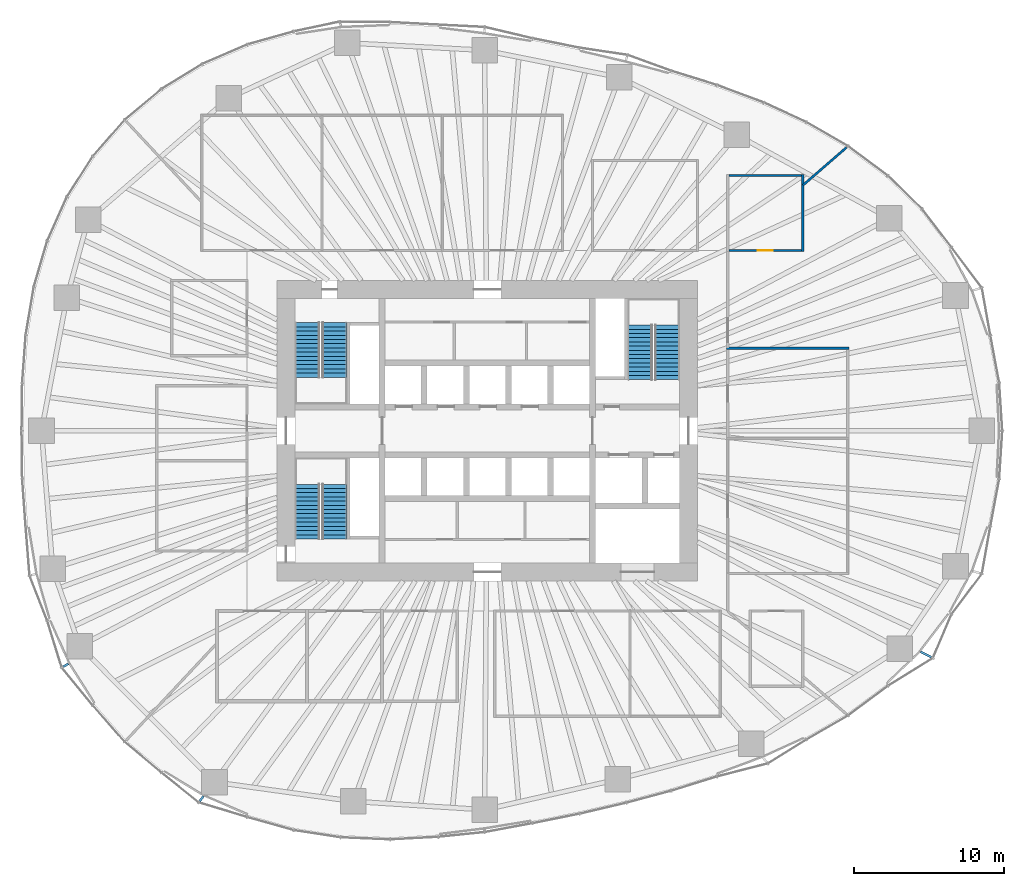
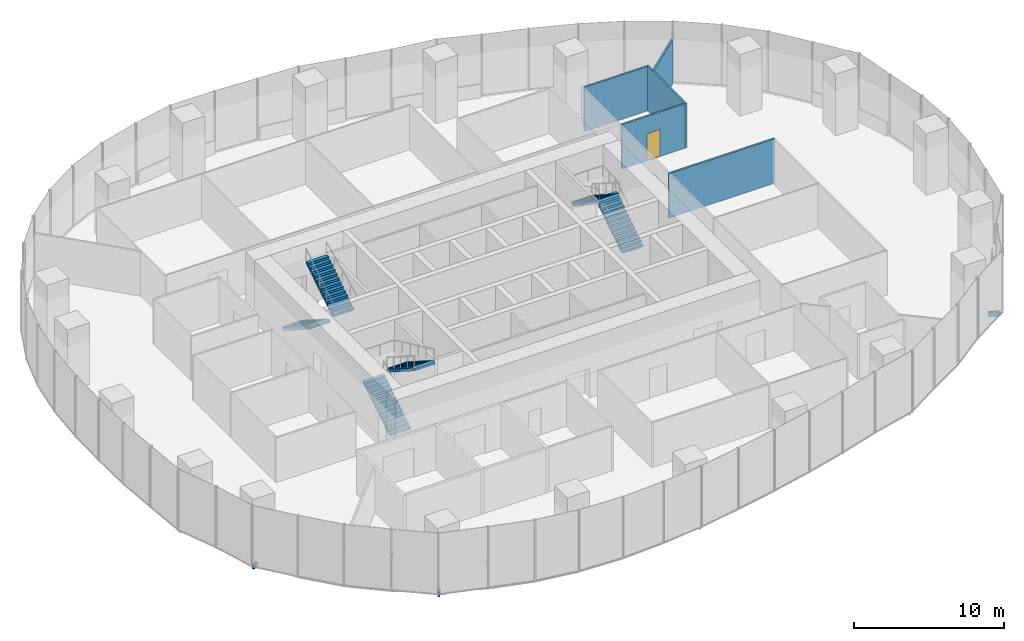
# One storey, part 12 of 20: 6 stair flights, 5 walls, 3 discrete accessories, 1 door, 1 opening, 3 elements without a shape of their own.
"""IFC4 building model written with IfcOpenShell, lengths in metres."""

from ifc_helpers import new_model, si_unit, direction, frame, frame_2d, origin, origin_2d, place, context, subcontext, project, spatial, polyline, rectangle, outline, extrude, material, layer, layer_set, type_object, element, fill, aggregate, save


model = new_model("IFC4")

# Units and contexts
model_context = context("Model", 3, precision=1e-05, world=origin(), true_north=direction((0.0, 1.0)))
body_context = subcontext(model_context, "Body", "Model", "MODEL_VIEW")
ifc_project = project(units=[si_unit("LENGTHUNIT", "METRE"), si_unit("AREAUNIT", "SQUARE_METRE"), si_unit("VOLUMEUNIT", "CUBIC_METRE"), si_unit("PLANEANGLEUNIT", "RADIAN"), si_unit("MASSUNIT", "GRAM", prefix="KILO")], contexts=[model_context])

# Site, building, storey
site_placement = place(None, origin())
site = spatial("IfcSite", under=ifc_project, at=site_placement, CompositionType="ELEMENT")
building_placement = place(site_placement, origin())
building = spatial("IfcBuilding", under=site, at=building_placement, Name="Ghaith Harvest Tower", CompositionType="ELEMENT")
storey_placement = place(building_placement, frame((0.0, 0.0, 60.0)))
storey = spatial("IfcBuildingStorey", under=building, at=storey_placement, Name="L12", CompositionType="ELEMENT", Elevation=60.0)

# Walls
ifc_material_1 = material(Name="Gypsum board on steel studs", Category="steel")
ifc_layer = layer(ifc_material_1, 0.14990234375)
ifc_layer_set = layer_set([ifc_layer], Name="PARTITION 150")
wall_type = type_object("IfcWallType", Name="PARTITION 150", PredefinedType="PARTITIONING", material=ifc_layer_set)
wall_1_placement = place(storey_placement, frame((15.925048828125, 5.5, 0.0), z_axis=(0.0, 0.0, 1.0), x_axis=(1.0, 0.0, 0.0)))
element("IfcWall", 1, at=wall_1_placement, inside=storey, type_object=wall_type, Name="Partition L12 row E3 cross wall 3", PredefinedType="PARTITIONING", context=body_context, shape_type="SweptSolid", body=[
    extrude(rectangle(XDim=8.14990234375, YDim=0.14990234375, at=frame_2d((4.074951171875, 0.0))), origin(), (0.0, 0.0, 1.0), 3.60009765625),
])
wall_2_placement = place(storey_placement, frame((21.0, 11.925048828125, 0.0), z_axis=(0.0, 0.0, 1.0), x_axis=(0.0, 1.0, 0.0)))
element("IfcWall", 2, at=wall_2_placement, inside=storey, type_object=wall_type, Name="Partition L12 row N7 cross wall 2", PredefinedType="PARTITIONING", context=body_context, shape_type="SweptSolid", body=[
    extrude(rectangle(XDim=5.14990234375, YDim=0.14990234375, at=frame_2d((2.574951171875, 0.0))), origin(), (0.0, 0.0, 1.0), 3.60009765625),
])

# Wall, opening, door
wall_3_placement = place(storey_placement, frame((16.074951171875, 12.0, 0.0), z_axis=(0.0, 0.0, 1.0), x_axis=(1.0, 0.0, 0.0)))
wall_3 = element("IfcWall", 3, at=wall_3_placement, inside=storey, type_object=wall_type, Name="Partition L12-14", PredefinedType="PARTITIONING", context=body_context, shape_type="SweptSolid", body=[
    extrude(rectangle(XDim=4.85009765625, YDim=0.14990234375, at=frame_2d((2.425048828125, 0.0))), origin(), (0.0, 0.0, 1.0), 3.60009765625),
])
opening_placement = place(wall_3_placement, frame((1.925048828125, 0.0, 0.0)))
opening = element("IfcOpeningElement", 4, at=opening_placement, cuts=wall_3, Name="Opening 12-036", PredefinedType="OPENING", context=body_context, shape_type="SweptSolid", body=[
    extrude(rectangle(XDim=1.0, YDim=2.199951171875, at=frame_2d((0.5, 1.10009765625))), frame((0.0, 0.0849609375, 0.0), z_axis=(0.0, -1.0, 0.0), x_axis=(1.0, 0.0, 0.0)), (0.0, 0.0, 1.0), 0.169921875),
])
ifc_material_2 = material(Name="Timber door", Category="wood")
door_type = type_object("IfcDoorType", Name="D1 SINGLE 1000x2200", OperationType="SINGLE_SWING_LEFT", PredefinedType="DOOR", material=ifc_material_2)
door_placement = place(opening_placement, origin())
door = element("IfcDoor", 5, at=door_placement, inside=storey, type_object=door_type, Name="Seed sowing room door", OperationType="SINGLE_SWING_LEFT", OverallHeight=2.199951171875, OverallWidth=1.0, PredefinedType="DOOR", context=body_context, shape_type="SweptSolid", body=[
    extrude(rectangle(XDim=1.0, YDim=2.199951171875, at=frame_2d((0.5, 1.10009765625))), frame((0.0, 0.02490234375, 0.0), z_axis=(0.0, -1.0, 0.0), x_axis=(1.0, 0.0, 0.0)), (0.0, 0.0, 1.0), 0.050048828125),
])
fill(opening, door)

# Walls
wall_4_placement = place(storey_placement, frame((16.074951171875, 17.0, 0.0), z_axis=(0.0, 0.0, 1.0), x_axis=(1.0, 0.0, 0.0)))
element("IfcWall", 6, at=wall_4_placement, inside=storey, type_object=wall_type, Name="Partition L12-14", PredefinedType="PARTITIONING", context=body_context, shape_type="SweptSolid", body=[
    extrude(rectangle(XDim=4.85009765625, YDim=0.14990234375, at=frame_2d((2.425048828125, 0.0))), origin(), (0.0, 0.0, 1.0), 3.60009765625),
])
wall_5_placement = place(storey_placement, frame((21.02001953125, 16.35400390625, 0.0), z_axis=(0.0, 0.0, 1.0), x_axis=(0.755425653008, 0.655234372402, 0.0)))
element("IfcWall", 7, at=wall_5_placement, inside=storey, type_object=wall_type, Name="Partition L12 zone division", PredefinedType="PARTITIONING", context=body_context, shape_type="SweptSolid", body=[
    extrude(rectangle(XDim=3.8232421875, YDim=0.14990234375, at=frame_2d((1.91162109375, 0.0))), origin(), (0.0, 0.0, 1.0), 3.60009765625),
])

# Stair, stair flights
ifc_material_3 = material(Name="Concrete C40/50, precast", Category="concrete")
stair_type = type_object("IfcStairType", Name="CORE STAIR 28R", PredefinedType="HALF_TURN_STAIR", material=ifc_material_3)
stair_1_placement = place(storey_placement, origin())
stair_1 = element("IfcStair", 8, at=stair_1_placement, inside=storey, type_object=stair_type, Name="Stair ST1 L12", PredefinedType="HALF_TURN_STAIR")
ifc_material_4 = material(Name="Concrete C40/50, precast", Category="concrete")
stair_flight_type = type_object("IfcStairFlightType", Name="CORE FLIGHT 14R 1600", PredefinedType="STRAIGHT", material=ifc_material_4)
stair_flight_1_placement = place(storey_placement, frame((-12.0, 7.199951171875, 0.0), z_axis=(0.0, 0.0, 1.0), x_axis=(0.0, -1.0, 0.0)))
stair_flight_1 = element("IfcStairFlight", 9, at=stair_flight_1_placement, type_object=stair_flight_type, Name="ST1 flight 1", NumberOfRisers=14, NumberOfTreads=13, PredefinedType="STRAIGHT", RiserHeight=0.178571429, TreadLength=0.28, context=body_context, shape_type="SweptSolid", body=[
    extrude(outline(polyline([(0.0, 0.0), (0.0, 0.178466796875), (0.280029296875, 0.178466796875), (0.280029296875, 0.357177734375), (0.56005859375, 0.357177734375), (0.56005859375, 0.53564453125), (0.840087890625, 0.53564453125), (0.840087890625, 0.71435546875), (1.1201171875, 0.71435546875), (1.1201171875, 0.892822265625), (1.39990234375, 0.892822265625), (1.39990234375, 1.071533203125), (1.679931640625, 1.071533203125), (1.679931640625, 1.25), (1.9599609375, 1.25), (1.9599609375, 1.428466796875), (2.239990234375, 1.428466796875), (2.239990234375, 1.607177734375), (2.52001953125, 1.607177734375), (2.52001953125, 1.78564453125), (2.800048828125, 1.78564453125), (2.800048828125, 1.96435546875), (3.080078125, 1.96435546875), (3.080078125, 2.142822265625), (3.360107421875, 2.142822265625), (3.360107421875, 2.321533203125), (3.639892578125, 2.321533203125), (3.639892578125, 2.5), (3.639892578125, 2.1435546875), (0.27880859375, 0.0), (0.0, 0.0)])), frame((0.0, 0.800048828125, 0.0), z_axis=(0.0, -1.0, 0.0), x_axis=(1.0, 0.0, 0.0)), (0.0, 0.0, 1.0), 1.60009765625),
])
stair_flight_2_placement = place(storey_placement, frame((-10.14990234375, 3.56005859375, 2.5), z_axis=(0.0, 0.0, 1.0), x_axis=(0.0, 1.0, 0.0)))
stair_flight_2 = element("IfcStairFlight", 10, at=stair_flight_2_placement, type_object=stair_flight_type, Name="ST1 flight 2", NumberOfRisers=14, NumberOfTreads=13, PredefinedType="STRAIGHT", RiserHeight=0.178571429, TreadLength=0.28, context=body_context, shape_type="SweptSolid", body=[
    extrude(outline(polyline([(0.0, 0.0), (0.0, 0.178466796875), (0.280029296875, 0.178466796875), (0.280029296875, 0.357177734375), (0.56005859375, 0.357177734375), (0.56005859375, 0.53564453125), (0.840087890625, 0.53564453125), (0.840087890625, 0.71435546875), (1.1201171875, 0.71435546875), (1.1201171875, 0.892822265625), (1.39990234375, 0.892822265625), (1.39990234375, 1.071533203125), (1.679931640625, 1.071533203125), (1.679931640625, 1.25), (1.9599609375, 1.25), (1.9599609375, 1.428466796875), (2.239990234375, 1.428466796875), (2.239990234375, 1.607177734375), (2.52001953125, 1.607177734375), (2.52001953125, 1.78564453125), (2.800048828125, 1.78564453125), (2.800048828125, 1.96435546875), (3.080078125, 1.96435546875), (3.080078125, 2.142822265625), (3.360107421875, 2.142822265625), (3.360107421875, 2.321533203125), (3.639892578125, 2.321533203125), (3.639892578125, 2.5), (3.639892578125, 2.1435546875), (0.27880859375, 0.0), (0.0, 0.0)])), frame((0.0, 0.800048828125, 0.0), z_axis=(0.0, -1.0, 0.0), x_axis=(1.0, 0.0, 0.0)), (0.0, 0.0, 1.0), 1.60009765625),
])
aggregate(stair_1, [stair_flight_1, stair_flight_2])

stair_2_placement = place(storey_placement, origin())
stair_2 = element("IfcStair", 11, at=stair_2_placement, inside=storey, type_object=stair_type, Name="Stair ST3 L12", PredefinedType="HALF_TURN_STAIR")
stair_flight_3_placement = place(storey_placement, frame((-12.0, -7.199951171875, 0.0), z_axis=(0.0, 0.0, 1.0), x_axis=(0.0, 1.0, 0.0)))
stair_flight_3 = element("IfcStairFlight", 12, at=stair_flight_3_placement, type_object=stair_flight_type, Name="ST3 flight 1", NumberOfRisers=14, NumberOfTreads=13, PredefinedType="STRAIGHT", RiserHeight=0.178571429, TreadLength=0.28, context=body_context, shape_type="SweptSolid", body=[
    extrude(outline(polyline([(0.0, 0.0), (0.0, 0.178466796875), (0.280029296875, 0.178466796875), (0.280029296875, 0.357177734375), (0.56005859375, 0.357177734375), (0.56005859375, 0.53564453125), (0.840087890625, 0.53564453125), (0.840087890625, 0.71435546875), (1.1201171875, 0.71435546875), (1.1201171875, 0.892822265625), (1.39990234375, 0.892822265625), (1.39990234375, 1.071533203125), (1.679931640625, 1.071533203125), (1.679931640625, 1.25), (1.9599609375, 1.25), (1.9599609375, 1.428466796875), (2.239990234375, 1.428466796875), (2.239990234375, 1.607177734375), (2.52001953125, 1.607177734375), (2.52001953125, 1.78564453125), (2.800048828125, 1.78564453125), (2.800048828125, 1.96435546875), (3.080078125, 1.96435546875), (3.080078125, 2.142822265625), (3.360107421875, 2.142822265625), (3.360107421875, 2.321533203125), (3.639892578125, 2.321533203125), (3.639892578125, 2.5), (3.639892578125, 2.1435546875), (0.27880859375, 0.0), (0.0, 0.0)])), frame((0.0, 0.800048828125, 0.0), z_axis=(0.0, -1.0, 0.0), x_axis=(1.0, 0.0, 0.0)), (0.0, 0.0, 1.0), 1.60009765625),
])
stair_flight_4_placement = place(storey_placement, frame((-10.14990234375, -3.56005859375, 2.5), z_axis=(0.0, 0.0, 1.0), x_axis=(0.0, -1.0, 0.0)))
stair_flight_4 = element("IfcStairFlight", 13, at=stair_flight_4_placement, type_object=stair_flight_type, Name="ST3 flight 2", NumberOfRisers=14, NumberOfTreads=13, PredefinedType="STRAIGHT", RiserHeight=0.178571429, TreadLength=0.28, context=body_context, shape_type="SweptSolid", body=[
    extrude(outline(polyline([(0.0, 0.0), (0.0, 0.178466796875), (0.280029296875, 0.178466796875), (0.280029296875, 0.357177734375), (0.56005859375, 0.357177734375), (0.56005859375, 0.53564453125), (0.840087890625, 0.53564453125), (0.840087890625, 0.71435546875), (1.1201171875, 0.71435546875), (1.1201171875, 0.892822265625), (1.39990234375, 0.892822265625), (1.39990234375, 1.071533203125), (1.679931640625, 1.071533203125), (1.679931640625, 1.25), (1.9599609375, 1.25), (1.9599609375, 1.428466796875), (2.239990234375, 1.428466796875), (2.239990234375, 1.607177734375), (2.52001953125, 1.607177734375), (2.52001953125, 1.78564453125), (2.800048828125, 1.78564453125), (2.800048828125, 1.96435546875), (3.080078125, 1.96435546875), (3.080078125, 2.142822265625), (3.360107421875, 2.142822265625), (3.360107421875, 2.321533203125), (3.639892578125, 2.321533203125), (3.639892578125, 2.5), (3.639892578125, 2.1435546875), (0.27880859375, 0.0), (0.0, 0.0)])), frame((0.0, 0.800048828125, 0.0), z_axis=(0.0, -1.0, 0.0), x_axis=(1.0, 0.0, 0.0)), (0.0, 0.0, 1.0), 1.60009765625),
])
aggregate(stair_2, [stair_flight_3, stair_flight_4])

stair_3_placement = place(storey_placement, origin())
stair_3 = element("IfcStair", 14, at=stair_3_placement, inside=storey, type_object=stair_type, Name="Stair ST2 L12", PredefinedType="HALF_TURN_STAIR")
stair_flight_5_placement = place(storey_placement, frame((12.0, 3.39990234375, 0.0), z_axis=(0.0, 0.0, 1.0), x_axis=(0.0, 1.0, 0.0)))
stair_flight_5 = element("IfcStairFlight", 15, at=stair_flight_5_placement, type_object=stair_flight_type, Name="ST2 flight 1", NumberOfRisers=14, NumberOfTreads=13, PredefinedType="STRAIGHT", RiserHeight=0.178571429, TreadLength=0.28, context=body_context, shape_type="SweptSolid", body=[
    extrude(outline(polyline([(0.0, 0.0), (0.0, 0.178466796875), (0.280029296875, 0.178466796875), (0.280029296875, 0.357177734375), (0.56005859375, 0.357177734375), (0.56005859375, 0.53564453125), (0.840087890625, 0.53564453125), (0.840087890625, 0.71435546875), (1.1201171875, 0.71435546875), (1.1201171875, 0.892822265625), (1.39990234375, 0.892822265625), (1.39990234375, 1.071533203125), (1.679931640625, 1.071533203125), (1.679931640625, 1.25), (1.9599609375, 1.25), (1.9599609375, 1.428466796875), (2.239990234375, 1.428466796875), (2.239990234375, 1.607177734375), (2.52001953125, 1.607177734375), (2.52001953125, 1.78564453125), (2.800048828125, 1.78564453125), (2.800048828125, 1.96435546875), (3.080078125, 1.96435546875), (3.080078125, 2.142822265625), (3.360107421875, 2.142822265625), (3.360107421875, 2.321533203125), (3.639892578125, 2.321533203125), (3.639892578125, 2.5), (3.639892578125, 2.1435546875), (0.27880859375, 0.0), (0.0, 0.0)])), frame((0.0, 0.800048828125, 0.0), z_axis=(0.0, -1.0, 0.0), x_axis=(1.0, 0.0, 0.0)), (0.0, 0.0, 1.0), 1.60009765625),
])
stair_flight_6_placement = place(storey_placement, frame((10.14990234375, 7.0400390625, 2.5), z_axis=(0.0, 0.0, 1.0), x_axis=(0.0, -1.0, 0.0)))
stair_flight_6 = element("IfcStairFlight", 16, at=stair_flight_6_placement, type_object=stair_flight_type, Name="ST2 flight 2", NumberOfRisers=14, NumberOfTreads=13, PredefinedType="STRAIGHT", RiserHeight=0.178571429, TreadLength=0.28, context=body_context, shape_type="SweptSolid", body=[
    extrude(outline(polyline([(0.0, 0.0), (0.0, 0.178466796875), (0.280029296875, 0.178466796875), (0.280029296875, 0.357177734375), (0.56005859375, 0.357177734375), (0.56005859375, 0.53564453125), (0.840087890625, 0.53564453125), (0.840087890625, 0.71435546875), (1.1201171875, 0.71435546875), (1.1201171875, 0.892822265625), (1.39990234375, 0.892822265625), (1.39990234375, 1.071533203125), (1.679931640625, 1.071533203125), (1.679931640625, 1.25), (1.9599609375, 1.25), (1.9599609375, 1.428466796875), (2.239990234375, 1.428466796875), (2.239990234375, 1.607177734375), (2.52001953125, 1.607177734375), (2.52001953125, 1.78564453125), (2.800048828125, 1.78564453125), (2.800048828125, 1.96435546875), (3.080078125, 1.96435546875), (3.080078125, 2.142822265625), (3.360107421875, 2.142822265625), (3.360107421875, 2.321533203125), (3.639892578125, 2.321533203125), (3.639892578125, 2.5), (3.639892578125, 2.1435546875), (0.27880859375, 0.0), (0.0, 0.0)])), frame((0.0, 0.800048828125, 0.0), z_axis=(0.0, -1.0, 0.0), x_axis=(1.0, 0.0, 0.0)), (0.0, 0.0, 1.0), 1.60009765625),
])
aggregate(stair_3, [stair_flight_5, stair_flight_6])

# Discrete accessories
ifc_material_5 = material(Name="Stainless steel grade 1.4401", Category="steel")
discrete_accessory_type_1 = type_object("IfcDiscreteAccessoryType", Name="CURTAIN WALL BRACKET 415", PredefinedType="BRACKET", material=ifc_material_5)
discrete_accessory_1_placement = place(storey_placement, frame((-28.05859375, -15.60546875, -0.25), z_axis=(0.0, 0.0, 1.0), x_axis=(-0.873926916099, -0.486057347767, 0.0)))
element("IfcDiscreteAccessory", 17, at=discrete_accessory_1_placement, inside=storey, type_object=discrete_accessory_type_1, Name="CW-F bracket 3 bay 12 L12", PredefinedType="BRACKET", context=body_context, shape_type="SweptSolid", body=[
    extrude(rectangle(XDim=0.4150390625, YDim=0.14990234375, at=origin_2d()), origin(), (0.0, 0.0, 1.0), 0.35009765625),
])
ifc_material_6 = material(Name="Stainless steel grade 1.4401", Category="steel")
discrete_accessory_type_2 = type_object("IfcDiscreteAccessoryType", Name="CURTAIN WALL BRACKET 425", PredefinedType="BRACKET", material=ifc_material_6)
discrete_accessory_2_placement = place(storey_placement, frame((-19.02099609375, -24.491455078125, -0.25), z_axis=(0.0, 0.0, 1.0), x_axis=(-0.613377713774, -0.789789706343, 0.0)))
element("IfcDiscreteAccessory", 18, at=discrete_accessory_2_placement, inside=storey, type_object=discrete_accessory_type_2, Name="CW-F bracket 1 bay 14 L12", PredefinedType="BRACKET", context=body_context, shape_type="SweptSolid", body=[
    extrude(rectangle(XDim=0.425048828125, YDim=0.14990234375, at=origin_2d()), origin(), (0.0, 0.0, 1.0), 0.35009765625),
])
ifc_material_7 = material(Name="Stainless steel grade 1.4401", Category="steel")
discrete_accessory_type_3 = type_object("IfcDiscreteAccessoryType", Name="CURTAIN WALL BRACKET 825", PredefinedType="BRACKET", material=ifc_material_7)
discrete_accessory_3_placement = place(storey_placement, frame((29.203125, -14.89404296875, -0.25), z_axis=(0.0, 0.0, 1.0), x_axis=(0.890830752177, -0.454335306767, 0.0)))
element("IfcDiscreteAccessory", 19, at=discrete_accessory_3_placement, inside=storey, type_object=discrete_accessory_type_3, Name="CW-F bracket 2 bay 19 L12", PredefinedType="BRACKET", context=body_context, shape_type="SweptSolid", body=[
    extrude(rectangle(XDim=0.824951171875, YDim=0.14990234375, at=origin_2d()), origin(), (0.0, 0.0, 1.0), 0.35009765625),
])

save(model, "model.ifc")
